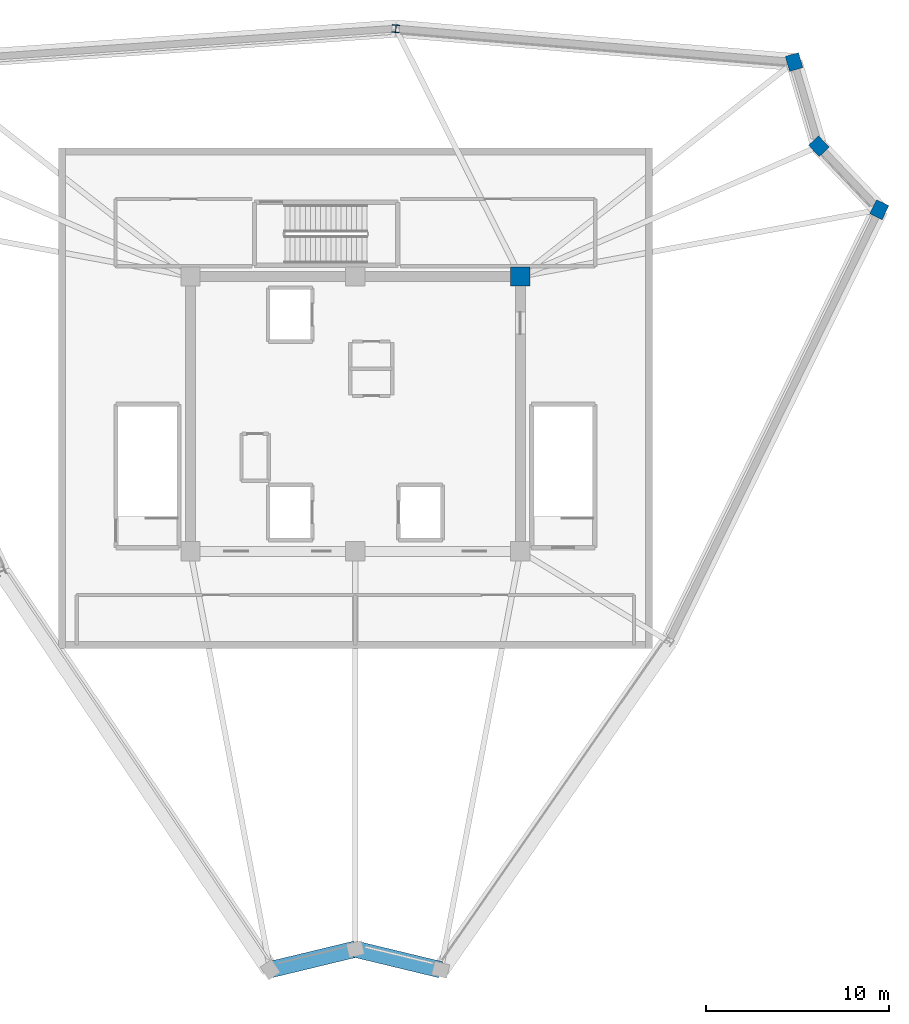
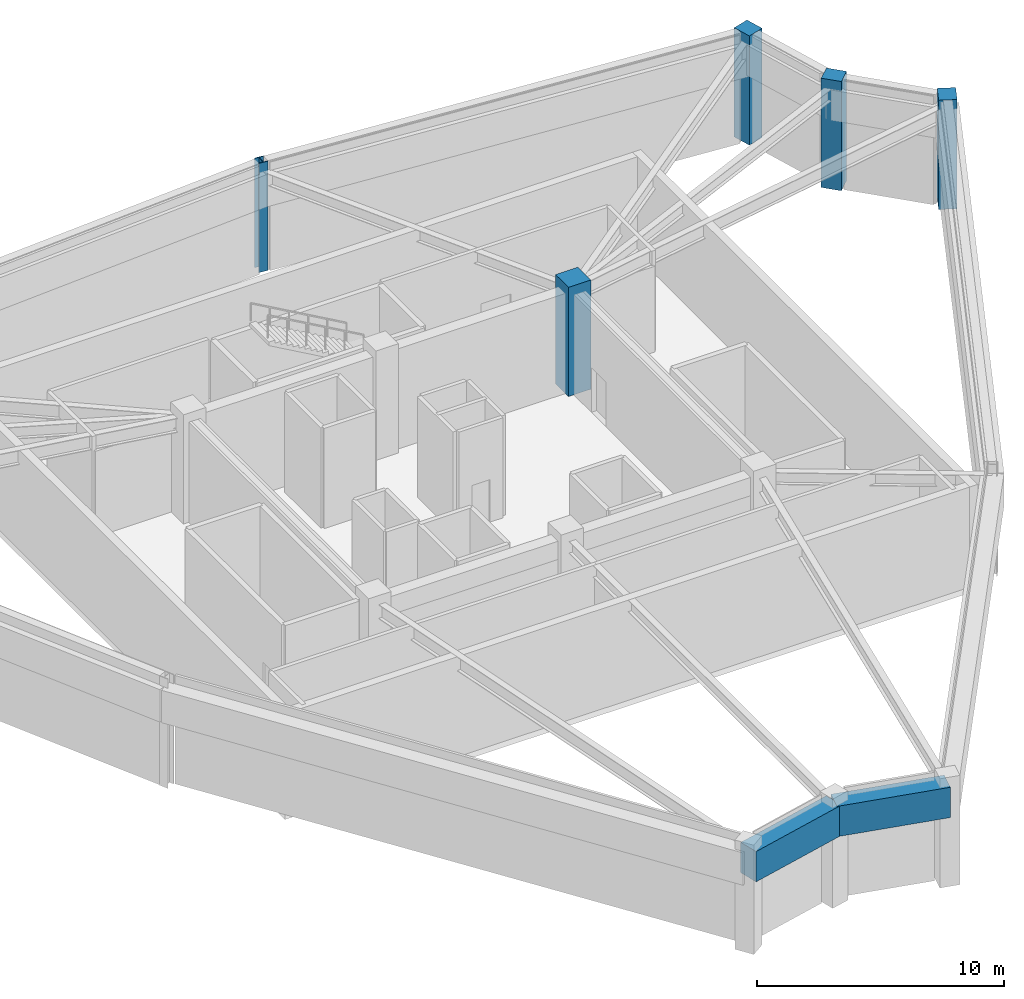
# One storey, part 2 of 6: 5 columns, 2 beams.
"""IFC4 building model written with IfcOpenShell, lengths in metres."""

from ifc_helpers import new_model, si_unit, direction, frame, origin, origin_2d, place, context, subcontext, project, spatial, rectangle, i_section, extrude, source, transform, mapped, material, material_profile, profile_set, type_object, element, save


model = new_model("IFC4")

# Units and contexts
model_context = context("Model", 3, precision=1e-05, world=origin(), true_north=direction((0.0, 1.0)))
body_context = subcontext(model_context, "Body", "Model", "MODEL_VIEW")
ifc_project = project(units=[si_unit("LENGTHUNIT", "METRE"), si_unit("AREAUNIT", "SQUARE_METRE"), si_unit("VOLUMEUNIT", "CUBIC_METRE"), si_unit("PLANEANGLEUNIT", "RADIAN"), si_unit("MASSUNIT", "GRAM", prefix="KILO")], contexts=[model_context])

# Site, building, storey
site_placement = place(None, origin())
site = spatial("IfcSite", under=ifc_project, at=site_placement, CompositionType="ELEMENT")
building_placement = place(site_placement, origin())
building = spatial("IfcBuilding", under=site, at=building_placement, Name="Liaohun Quay Tower", CompositionType="ELEMENT")
storey_placement = place(building_placement, frame((0.0, 0.0, 366.0)))
storey = spatial("IfcBuildingStorey", under=building, at=storey_placement, Name="L94", CompositionType="ELEMENT", Elevation=366.0)

# Columns
ifc_material_1 = material(Name="Concrete C50", Category="concrete")
ifc_material_profile_1 = material_profile(ifc_material_1, rectangle(XDim=1.050048828125, YDim=1.050048828125, at=origin_2d()), Name="RC1050x1050")
ifc_profile_set_1 = profile_set([ifc_material_profile_1], Name="Concrete C50")
column_type_1 = type_object("IfcColumnType", Name="COL-CC-CR", PredefinedType="COLUMN", material=ifc_profile_set_1)
shared_shape_1 = source(origin(), body_context, "Body", "SweptSolid", [
    extrude(rectangle(XDim=1.050048828125, YDim=1.050048828125, at=origin_2d()), origin(), (0.0, 0.0, 1.0), 5.39990234375),
])
column_1_placement = place(storey_placement, frame((69.0, 61.5, 0.0), z_axis=(0.0, 0.0, 1.0), x_axis=(1.0, 0.0, 0.0)))
element("IfcColumn", 1, at=column_1_placement, inside=storey, type_object=column_type_1, Name="L94 Core Column CC4", PredefinedType="COLUMN", context=body_context, shape_type="MappedRepresentation", body=[
    mapped(shared_shape_1, transform((0.0, 0.0, 0.0), x_axis=(1.0, 0.0, 0.0), y_axis=(0.0, 1.0, 0.0), z_axis=(0.0, 0.0, 1.0), scale=1.0)),
])
ifc_material_profile_2 = material_profile(ifc_material_1, rectangle(XDim=0.85009765625, YDim=0.75, at=origin_2d()), Name="RC850x750")
ifc_profile_set_2 = profile_set([ifc_material_profile_2], Name="Concrete C50")
column_type_2 = type_object("IfcColumnType", Name="COL-PIER-CR", PredefinedType="COLUMN", material=ifc_profile_set_2)
shared_shape_2 = source(origin(), body_context, "Body", "SweptSolid", [
    extrude(rectangle(XDim=0.85009765625, YDim=0.75, at=origin_2d()), origin(), (0.0, 0.0, 1.0), 5.39990234375),
])
for number, where, z_axis, x_axis, name in (
    (2, (83.93408203125, 73.194091796875, 0.0), (0.0, 0.0, 1.0), (-0.282676303383, 0.959215360337, 0.0), "L94 Perimeter Pier PC07"),
    (3, (85.2880859375, 68.60009765625, 0.0), (0.0, 0.0, 1.0), (-0.68936671806, 0.724412539946, 0.0), "L94 Perimeter Pier PC08"),
    (4, (88.5830078125, 65.136962890625, 0.0), (0.0, 0.0, 1.0), (0.438371146789, 0.898794046299, 0.0), "L94 Perimeter Pier PC09"),
):
    element("IfcColumn", number, at=place(storey_placement, frame(where, z_axis=z_axis, x_axis=x_axis)), inside=storey, type_object=column_type_2, Name=name, PredefinedType="COLUMN", context=body_context, shape_type="MappedRepresentation", body=[
        mapped(shared_shape_2, transform((0.0, 0.0, 0.0), x_axis=(1.0, 0.0, 0.0), y_axis=(0.0, 1.0, 0.0), z_axis=(0.0, 0.0, 1.0), scale=1.0)),
    ])
ifc_material_2 = material(Name="Steel Q420D", Category="steel")
ifc_material_profile_3 = material_profile(ifc_material_2, i_section(OverallWidth=0.406982421875, OverallDepth=0.427978515625, WebThickness=0.02001953125, FlangeThickness=0.034912109375, at=origin_2d()), Name="HW428x407x20x35")
ifc_profile_set_3 = profile_set([ifc_material_profile_3], Name="Steel Q420D")
column_type_3 = type_object("IfcColumnType", Name="COL-STL-CR1", PredefinedType="COLUMN", material=ifc_profile_set_3)
shared_shape_3 = source(origin(), body_context, "Body", "SweptSolid", [
    extrude(i_section(OverallWidth=0.406982421875, OverallDepth=0.427978515625, WebThickness=0.02001953125, FlangeThickness=0.034912109375, at=origin_2d()), origin(), (0.0, 0.0, 1.0), 5.39990234375),
])
column_2_placement = place(storey_placement, frame((62.20703125, 75.012939453125, 0.0), z_axis=(0.0, 0.0, 1.0), x_axis=(-0.996507448611, 0.083503921245, 0.0)))
element("IfcColumn", 5, at=column_2_placement, inside=storey, type_object=column_type_3, Name="L94 Perimeter Pier PC06", PredefinedType="COLUMN", context=body_context, shape_type="MappedRepresentation", body=[
    mapped(shared_shape_3, transform((0.0, 0.0, 0.0), x_axis=(1.0, 0.0, 0.0), y_axis=(0.0, 1.0, 0.0), z_axis=(0.0, 0.0, 1.0), scale=1.0)),
])

# Beams
ifc_material_3 = material(Name="Concrete C55", Category="concrete")
ifc_material_profile_4 = material_profile(ifc_material_3, rectangle(XDim=0.89990234375, YDim=1.5, at=origin_2d()), Name="RC900x1500")
ifc_profile_set_4 = profile_set([ifc_material_profile_4], Name="Concrete C55")
beam_type = type_object("IfcBeamType", Name="BM-CAN-RING", PredefinedType="BEAM", material=ifc_profile_set_4)
shared_shape_4 = source(origin(), body_context, "Body", "SweptSolid", [
    extrude(rectangle(XDim=0.89990234375, YDim=1.5, at=origin_2d()), origin(), (0.0, 0.0, 1.0), 4.78857421875),
])
beam_1_placement = place(storey_placement, frame((64.655029296875, 23.676025390625, 4.199951171875), z_axis=(-0.972109870601, 0.234525903643, 0.0), x_axis=(-0.234525903643, -0.972109870601, 0.0)))
element("IfcBeam", 6, at=beam_1_placement, inside=storey, type_object=beam_type, Name="L94 Precast Spandrel Beam PC11-PC12", PredefinedType="BEAM", context=body_context, shape_type="MappedRepresentation", body=[
    mapped(shared_shape_4, transform((0.0, 0.0, 0.0), x_axis=(1.0, 0.0, 0.0), y_axis=(0.0, 1.0, 0.0), z_axis=(0.0, 0.0, 1.0), scale=1.0)),
])
shared_shape_5 = source(origin(), body_context, "Body", "SweptSolid", [
    extrude(rectangle(XDim=0.89990234375, YDim=1.5, at=origin_2d()), origin(), (0.0, 0.0, 1.0), 4.779296875),
])
beam_2_placement = place(storey_placement, frame((60.0, 24.799072265625, 4.199951171875), z_axis=(-0.972099080488, -0.234570624151, 0.0), x_axis=(0.234570624151, -0.972099080488, 0.0)))
element("IfcBeam", 7, at=beam_2_placement, inside=storey, type_object=beam_type, Name="L94 Precast Spandrel Beam PC12-PC01", PredefinedType="BEAM", context=body_context, shape_type="MappedRepresentation", body=[
    mapped(shared_shape_5, transform((0.0, 0.0, 0.0), x_axis=(1.0, 0.0, 0.0), y_axis=(0.0, 1.0, 0.0), z_axis=(0.0, 0.0, 1.0), scale=1.0)),
])

save(model, "model.ifc")
